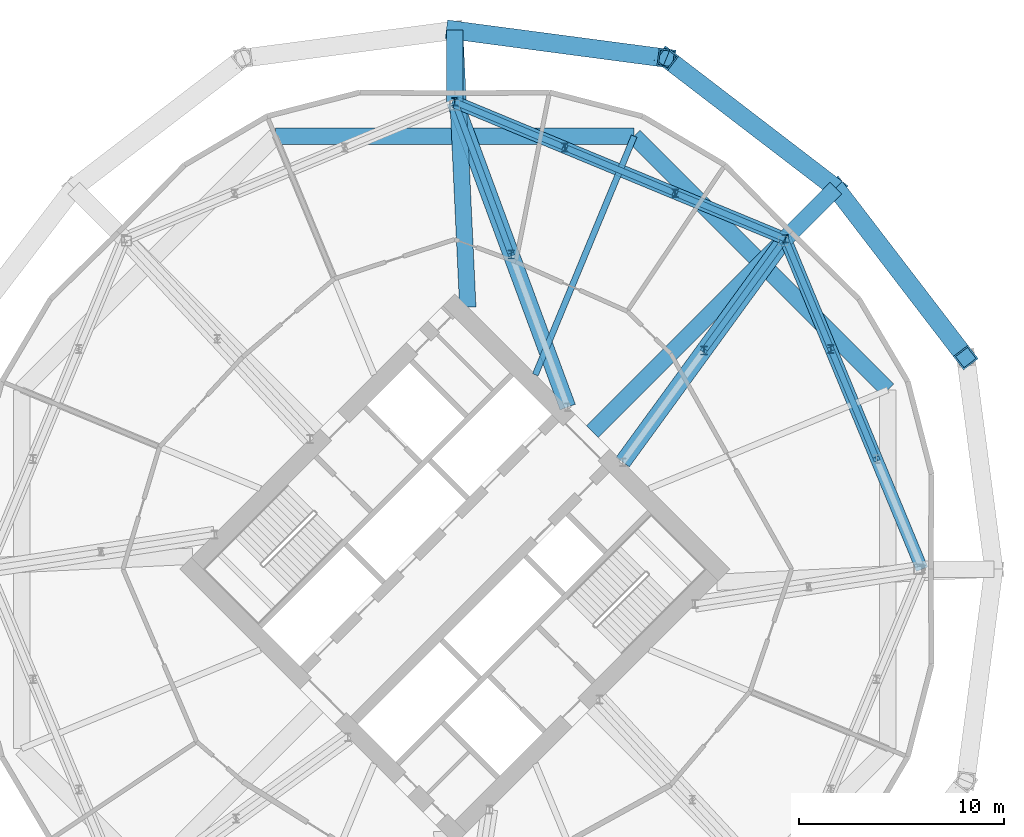
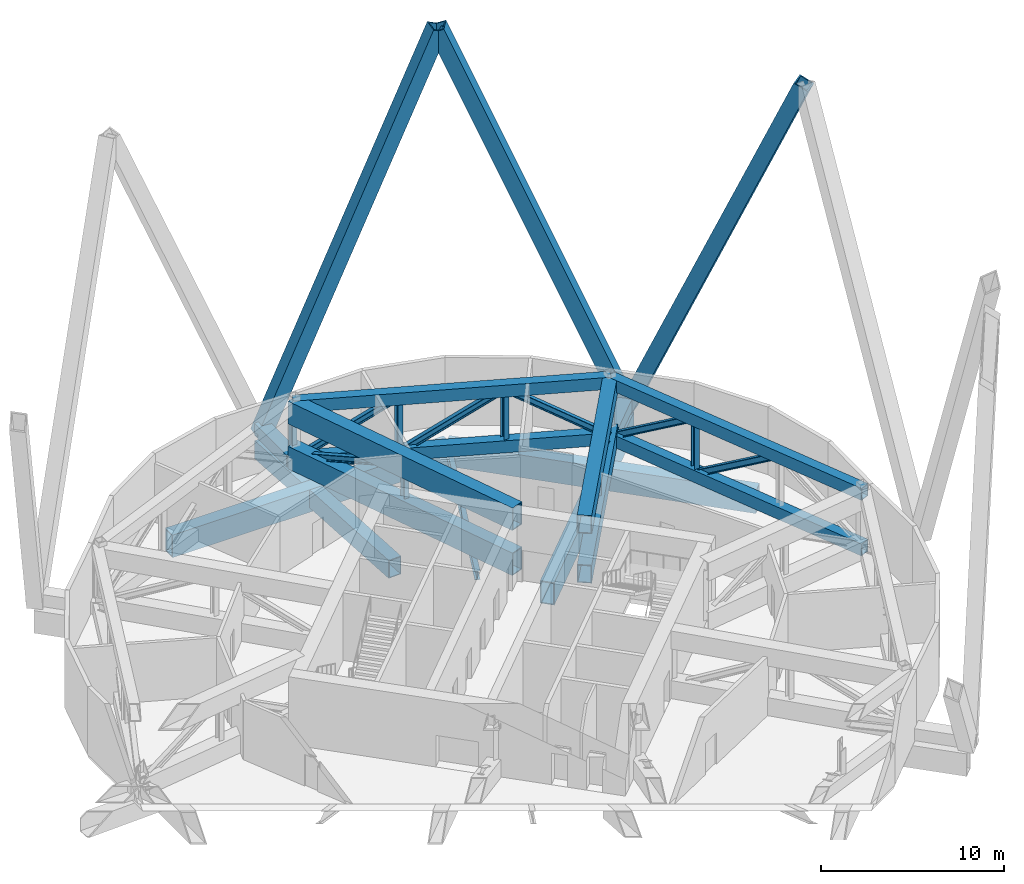
# One storey, part 12 of 21: 25 members, 7 beams.
"""IFC4 building model written with IfcOpenShell, lengths in metres."""

import ifcopenshell
import ifcopenshell.guid

model = None  # the IFC model being written
_history = None  # IfcOwnerHistory: only IFC2X3 demands one
_inside = {}  # id of a spatial element -> (the spatial element, [elements in it])
_under = {}  # id of a project, library or spatial element -> (it, [spatial elements below it])
_declared = {}  # id of a project -> (the project, [libraries it declares])
_typed = {}  # id of a type object -> (the type object, [elements of that type])
_made_of = {}  # id of a material, layer set ... -> (it, [elements and type objects made of it])


def new_model(schema):
    """Start an empty IFC model of exactly this schema.

    Asked for "IFC4X3", IfcOpenShell would pick the latest addendum, in which some entities
    have other attributes; the version numbers below select the first issue.
    IFC2X3 requires an IfcOwnerHistory on every rooted entity: one is made here for all.
    """
    global model, _history
    if schema == "IFC4X3":
        model = ifcopenshell.file(schema_version=(4, 3, 0, 0))
    else:
        model = ifcopenshell.file(schema=schema)
    _inside.clear()
    _under.clear()
    _declared.clear()
    _typed.clear()
    _made_of.clear()
    _history = None
    if model.schema == "IFC2X3":
        org = make("IfcOrganization", Name="unknown")
        user = make(
            "IfcPersonAndOrganization",
            ThePerson=make("IfcPerson", FamilyName="unknown"),
            TheOrganization=org,
        )
        app = make(
            "IfcApplication",
            ApplicationDeveloper=org,
            Version="unknown",
            ApplicationFullName="unknown",
            ApplicationIdentifier="unknown",
        )
        _history = make(
            "IfcOwnerHistory",
            OwningUser=user,
            OwningApplication=app,
            ChangeAction="ADDED",
            CreationDate=0,
        )
    return model


def make(cls, **values):
    """One entity of the class cls with the attributes given. An attribute that is None is left unset."""
    return model.create_entity(
        cls, **{name: value for name, value in values.items() if value is not None}
    )


def rooted(cls, **values):
    """An entity with a GlobalId (a new one), such as an element, a storey or a relation."""
    return make(cls, GlobalId=ifcopenshell.guid.new(), OwnerHistory=_history, **values)


def si_unit(unit_type, name, prefix=None):
    """IfcSIUnit, for example si_unit("LENGTHUNIT", "METRE", prefix="MILLI")."""
    return make("IfcSIUnit", UnitType=unit_type, Prefix=prefix, Name=name)


def assignment(units):
    """IfcUnitAssignment: the units of a project."""
    return None if units is None else make("IfcUnitAssignment", Units=units)


def point(xyz):
    """IfcCartesianPoint."""
    return None if xyz is None else make("IfcCartesianPoint", Coordinates=xyz)


def direction(xyz):
    """IfcDirection."""
    return None if xyz is None else make("IfcDirection", DirectionRatios=xyz)


def frame(location, z_axis=None, x_axis=None):
    """IfcAxis2Placement3D, a coordinate frame: its origin and axes. An axis left out is left unset."""
    return make(
        "IfcAxis2Placement3D",
        Location=point(location),
        Axis=direction(z_axis),
        RefDirection=direction(x_axis),
    )


def frame_2d(location, x_axis=None):
    """IfcAxis2Placement2D, a coordinate frame in the plane: its origin and x axis."""
    return make(
        "IfcAxis2Placement2D", Location=point(location), RefDirection=direction(x_axis)
    )


def origin():
    """The frame at (0, 0, 0) with its axes left unset."""
    return frame((0.0, 0.0, 0.0))


def origin_2d():
    """The frame at (0, 0) in the plane with its x axis left unset."""
    return frame_2d((0.0, 0.0))


def place(relative_to, where):
    """IfcLocalPlacement: puts the frame where relative to a parent placement (None: the world)."""
    return make(
        "IfcLocalPlacement", PlacementRelTo=relative_to, RelativePlacement=where
    )


def context(
    kind, dimensions, precision=None, world=None, true_north=None, identifier=None
):
    """IfcGeometricRepresentationContext, for example the 3D "Model" context."""
    return make(
        "IfcGeometricRepresentationContext",
        ContextIdentifier=identifier,
        ContextType=kind,
        CoordinateSpaceDimension=dimensions,
        Precision=precision,
        WorldCoordinateSystem=world,
        TrueNorth=true_north,
    )


def subcontext(parent, identifier, kind, view, scale=None):
    """IfcGeometricRepresentationSubContext, for example "Body" below "Model"."""
    return make(
        "IfcGeometricRepresentationSubContext",
        ContextIdentifier=identifier,
        ContextType=kind,
        ParentContext=parent,
        TargetScale=scale,
        TargetView=view,
    )


def project(units=None, contexts=None):
    """IfcProject with its units and contexts."""
    return rooted(
        "IfcProject",
        Name="project",
        RepresentationContexts=contexts,
        UnitsInContext=assignment(units),
    )


def spatial(cls, under=None, at=None, **own):
    """A site, building, storey or space (cls), placed at a placement, below another one or the project."""
    s = rooted(cls, ObjectPlacement=at, **own)
    if under is not None:
        _under.setdefault(under.id(), (under, []))[1].append(s)
    return s


def profile(cls, at=None, kind="AREA", **sizes):
    """A parametric profile (cls). Its sizes go by their IFC names, for example OverallWidth=200.0."""
    return make(cls, ProfileType=kind, Position=at, **sizes)


def hollow_rectangle(**sizes):
    """IfcRectangleHollowProfileDef."""
    return profile("IfcRectangleHollowProfileDef", **sizes)


def i_section(**sizes):
    """IfcIShapeProfileDef."""
    return profile("IfcIShapeProfileDef", **sizes)


def extrude(swept, where, along, depth):
    """IfcExtrudedAreaSolid: the profile swept, set in the frame where, extruded along a direction by depth."""
    return make(
        "IfcExtrudedAreaSolid",
        SweptArea=swept,
        Position=where,
        ExtrudedDirection=direction(along),
        Depth=depth,
    )


def shape(context_of_items, identifier, shape_type, items):
    """IfcShapeRepresentation: the items that make up one representation, for example the "Body"."""
    return make(
        "IfcShapeRepresentation",
        ContextOfItems=context_of_items,
        RepresentationIdentifier=identifier,
        RepresentationType=shape_type,
        Items=items,
    )


def material(Name=None, Category=None):
    """IfcMaterial."""
    return make("IfcMaterial", Name=Name, Category=Category)


def material_profile(
    of_material, cross_section, Name=None, Category=None, Priority=None
):
    """IfcMaterialProfile: a cross section and its material."""
    return make(
        "IfcMaterialProfile",
        Name=Name,
        Material=of_material,
        Profile=cross_section,
        Priority=Priority,
        Category=Category,
    )


def profile_set(profiles, Name=None, composite=None):
    """IfcMaterialProfileSet."""
    return make(
        "IfcMaterialProfileSet",
        Name=Name,
        MaterialProfiles=profiles,
        CompositeProfile=composite,
    )


def made_of(thing, what):
    """Note that an element or type object is made of a material, layer set ...; save() writes the relation."""
    if what is not None:
        _made_of.setdefault(what.id(), (what, []))[1].append(thing)
    return thing


def type_object(cls, material=None, **own):
    """A type object (cls), such as IfcWallType, which elements share."""
    return made_of(rooted(cls, **own), material)


def element(
    cls,
    number,
    at=None,
    inside=None,
    cuts=None,
    type_object=None,
    material=None,
    context=None,
    identifier="Body",
    shape_type=None,
    held_by="IfcProductDefinitionShape",
    body=None,
    shapes=None,
    **own,
):
    """One element of the class cls, such as IfcWall. Its Tag is "e" and its number.

    at: its placement. inside: the storey or other place that contains it. cuts: it is an
    opening in that element (IfcRelVoidsElement). A single representation is given by context,
    identifier, shape_type and body (its items); several are given by shapes. held_by: the class
    of the entity that holds the representations. save() writes the other relations.
    """
    e = rooted(cls, Tag="e%d" % number, ObjectPlacement=at, **own)
    if body is not None:
        shapes = [shape(context, identifier, shape_type, body)]
    if shapes is not None:
        e.Representation = make(held_by, Representations=shapes)
    if inside is not None:
        _inside.setdefault(inside.id(), (inside, []))[1].append(e)
    if cuts is not None:
        rooted(
            "IfcRelVoidsElement", RelatingBuildingElement=cuts, RelatedOpeningElement=e
        )
    if type_object is not None:
        _typed.setdefault(type_object.id(), (type_object, []))[1].append(e)
    return made_of(e, material)


def aggregate(whole, parts):
    """IfcRelAggregates: a whole, such as a stair, and the parts it consists of."""
    return rooted("IfcRelAggregates", RelatingObject=whole, RelatedObjects=parts)


def save(model, path):
    """Write the relations noted so far, then the file.

    IfcRelAggregates (storeys below a building ...), IfcRelContainedInSpatialStructure (elements
    in a storey), IfcRelDefinesByType, IfcRelAssociatesMaterial and IfcRelDeclares: one each for
    every whole, place, type object, material and project.
    """
    for whole, parts in _under.values():
        aggregate(whole, parts)
    for where, things in _inside.values():
        rooted(
            "IfcRelContainedInSpatialStructure",
            RelatedElements=things,
            RelatingStructure=where,
        )
    for kind, things in _typed.values():
        rooted("IfcRelDefinesByType", RelatedObjects=things, RelatingType=kind)
    for what, things in _made_of.values():
        rooted("IfcRelAssociatesMaterial", RelatedObjects=things, RelatingMaterial=what)
    for by, libraries in _declared.values():
        rooted("IfcRelDeclares", RelatingContext=by, RelatedDefinitions=libraries)
    model.write(path)


model = new_model("IFC4")

# Units and contexts
model_context = context("Model", 3, precision=1e-05, world=origin(), true_north=direction((0.0, 1.0)))
body_context = subcontext(model_context, "Body", "Model", "MODEL_VIEW")
ifc_project = project(units=[si_unit("LENGTHUNIT", "METRE"), si_unit("AREAUNIT", "SQUARE_METRE"), si_unit("VOLUMEUNIT", "CUBIC_METRE"), si_unit("PLANEANGLEUNIT", "RADIAN"), si_unit("MASSUNIT", "GRAM", prefix="KILO")], contexts=[model_context])

# Site, building, storey
site_placement = place(None, origin())
site = spatial("IfcSite", under=ifc_project, at=site_placement, CompositionType="ELEMENT")
building_placement = place(site_placement, origin())
building = spatial("IfcBuilding", under=site, at=building_placement, Name="Ogive Gate Towers", CompositionType="ELEMENT")
storey_placement = place(building_placement, frame((0.0, 0.0, 71.39990234375)))
storey = spatial("IfcBuildingStorey", under=building, at=storey_placement, Name="L16", CompositionType="ELEMENT", Elevation=71.39990234375)

# Members
ifc_material_1 = material(Name="Steel SM460", Category="steel")
ifc_material_profile_1 = material_profile(ifc_material_1, hollow_rectangle(XDim=0.89990234375, YDim=0.89990234375, WallThickness=0.080078125, at=origin_2d()), Name="BX 900x900x80")
ifc_profile_set_1 = profile_set([ifc_material_profile_1], Name="Steel SM460")
member_type_1 = type_object("IfcMemberType", Name="Diagrid diagonal BX 900x900x80", PredefinedType="BRACE", material=ifc_profile_set_1)
for number, where, z_axis, x_axis, name in (
    (1, (54.6181640625, 18.6181640625, 0.0), (0.239941197331, -0.313043448302, 0.918929823925), (0.793678314576, 0.608337680052, 0.0), "T2/L16/SDG003"),
    (2, (54.6181640625, 18.6181640625, 0.0), (-0.313043448302, 0.239941197331, 0.918929823925), (-0.608337680052, -0.793678314576, 0.0), "T2/L16/SDG004"),
    (3, (36.0, 26.330078125, 0.0), (0.391020203016, -0.05169225596, 0.918929328897), (0.131058173692, 0.991374679477, 0.0), "T2/L16/SDG005"),
):
    element("IfcMember", number, at=place(storey_placement, frame(where, z_axis=z_axis, x_axis=x_axis)), inside=storey, type_object=member_type_1, Name=name, PredefinedType="BRACE", context=body_context, shape_type="SweptSolid", body=[
        extrude(hollow_rectangle(XDim=0.89990234375, YDim=0.89990234375, WallThickness=0.080078125, at=origin_2d()), origin(), (0.0, 0.0, 1.0), 26.44384765625),
    ])

# Beams
ifc_material_profile_2 = material_profile(ifc_material_1, hollow_rectangle(XDim=0.800048828125, YDim=1.5, WallThickness=0.06005859375, at=origin_2d()), Name="BX 1500x800x60")
ifc_profile_set_2 = profile_set([ifc_material_profile_2], Name="Steel SM460")
beam_type_1 = type_object("IfcBeamType", Name="Edge girder BX 1500x800x60", PredefinedType="BEAM", material=ifc_profile_set_2)
for number, where, z_axis, x_axis, name in (
    (4, (57.15673828125, 8.763427734375, -1.0498046875), (-0.707106781187, 0.707106781187, 0.0), (-0.707106781187, -0.707106781187, 0.0), "T2/L16/SBM021"),
    (5, (44.763427734375, 21.15673828125, -1.0498046875), (-1.0, 0.0, 0.0), (0.0, -1.0, 0.0), "T2/L16/SBM022"),
):
    element("IfcBeam", number, at=place(storey_placement, frame(where, z_axis=z_axis, x_axis=x_axis)), inside=storey, type_object=beam_type_1, Name=name, PredefinedType="BEAM", context=body_context, shape_type="SweptSolid", body=[
        extrude(hollow_rectangle(XDim=0.800048828125, YDim=1.5, WallThickness=0.06005859375, at=origin_2d()), origin(), (0.0, 0.0, 1.0), 17.52685546875),
    ])
ifc_material_profile_3 = material_profile(ifc_material_1, hollow_rectangle(XDim=0.800048828125, YDim=0.800048828125, WallThickness=0.050048828125, at=origin_2d()), Name="BX 800x800x50")
ifc_profile_set_3 = profile_set([ifc_material_profile_3], Name="Steel SM460")
beam_type_2 = type_object("IfcBeamType", Name="Node arm BX 800x800x50", PredefinedType="BEAM", material=ifc_profile_set_3)
for number, where, z_axis, x_axis, name in (
    (6, (52.143310546875, 16.143310546875, 0.4501953125), (0.707106781187, 0.707106781187, 0.0), (-0.707106781187, 0.707106781187, 0.0), "T2/L16/SBM026"),
    (7, (36.0, 22.830078125, 0.4501953125), (0.0, 1.0, 0.0), (-1.0, 0.0, 0.0), "T2/L16/SBM027"),
):
    element("IfcBeam", number, at=place(storey_placement, frame(where, z_axis=z_axis, x_axis=x_axis)), inside=storey, type_object=beam_type_2, Name=name, PredefinedType="BEAM", context=body_context, shape_type="SweptSolid", body=[
        extrude(hollow_rectangle(XDim=0.800048828125, YDim=0.800048828125, WallThickness=0.050048828125, at=origin_2d()), origin(), (0.0, 0.0, 1.0), 3.5),
    ])
ifc_material_2 = material(Name="Steel SM355", Category="steel")
ifc_material_profile_4 = material_profile(ifc_material_2, i_section(OverallWidth=0.300048828125, OverallDepth=0.590087890625, WebThickness=0.012939453125, FlangeThickness=0.02490234375, FilletRadius=0.027099609375, at=origin_2d()), Name="HE 600 A")
ifc_profile_set_4 = profile_set([ifc_material_profile_4], Name="Steel SM355")
beam_type_3 = type_object("IfcBeamType", Name="Radial floor beam HE 600 A", PredefinedType="BEAM", material=ifc_profile_set_4)
beam_1_placement = place(storey_placement, frame((39.93505859375, 9.5, -0.594970703125), z_axis=(0.382682759347, 0.923879811284, 0.0), x_axis=(-0.923879811284, 0.382682759347, 0.0)))
element("IfcBeam", 8, at=beam_1_placement, inside=storey, type_object=beam_type_3, Name="T2/L16/SBM011", PredefinedType="BEAM", context=body_context, shape_type="SweptSolid", body=[
    extrude(i_section(OverallWidth=0.300048828125, OverallDepth=0.590087890625, WebThickness=0.012939453125, FlangeThickness=0.02490234375, FilletRadius=0.027099609375, at=origin_2d()), origin(), (0.0, 0.0, 1.0), 12.6171875),
])
ifc_material_profile_5 = material_profile(ifc_material_1, hollow_rectangle(XDim=0.800048828125, YDim=1.199951171875, WallThickness=0.050048828125, at=origin_2d()), Name="BX 1200x800x50")
ifc_profile_set_5 = profile_set([ifc_material_profile_5], Name="Steel SM460")
beam_type_4 = type_object("IfcBeamType", Name="Transfer radial beam BX 1200x800x50", PredefinedType="BEAM", material=ifc_profile_set_5)
beam_2_placement = place(storey_placement, frame((36.636474609375, 12.798583984375, -0.89990234375), z_axis=(-0.046984589384, 0.998895614346, 0.0), x_axis=(-0.998895614346, -0.046984589384, 0.0)))
element("IfcBeam", 9, at=beam_2_placement, inside=storey, type_object=beam_type_4, Name="T2/L16/SBM012", PredefinedType="BEAM", context=body_context, shape_type="SweptSolid", body=[
    extrude(hollow_rectangle(XDim=0.800048828125, YDim=1.199951171875, WallThickness=0.050048828125, at=origin_2d()), origin(), (0.0, 0.0, 1.0), 13.54638671875),
])
ifc_material_profile_6 = material_profile(ifc_material_1, hollow_rectangle(XDim=0.800048828125, YDim=1.5, WallThickness=0.06005859375, at=origin_2d()), Name="BX 1500x800x60")
ifc_profile_set_6 = profile_set([ifc_material_profile_6], Name="Steel SM460")
beam_type_5 = type_object("IfcBeamType", Name="Transfer radial beam BX 1500x800x60", PredefinedType="BEAM", material=ifc_profile_set_6)
beam_3_placement = place(storey_placement, frame((42.717529296875, 6.717529296875, -1.0498046875), z_axis=(0.707106781187, 0.707106781187, 0.0), x_axis=(-0.707106781187, 0.707106781187, 0.0)))
element("IfcBeam", 10, at=beam_3_placement, inside=storey, type_object=beam_type_5, Name="T2/L16/SBM010", PredefinedType="BEAM", context=body_context, shape_type="SweptSolid", body=[
    extrude(hollow_rectangle(XDim=0.800048828125, YDim=1.5, WallThickness=0.06005859375, at=origin_2d()), origin(), (0.0, 0.0, 1.0), 16.830078125),
])

# Members
ifc_material_profile_7 = material_profile(ifc_material_1, hollow_rectangle(XDim=0.800048828125, YDim=1.199951171875, WallThickness=0.050048828125, at=origin_2d()), Name="BX 1200x800x50")
ifc_profile_set_7 = profile_set([ifc_material_profile_7], Name="Steel SM460")
member_type_2 = type_object("IfcMemberType", Name="Truss chord BX 1200x800x50", PredefinedType="CHORD", material=ifc_profile_set_7)
for number, where, z_axis, x_axis, name in (
    (11, (44.202392578125, 5.232666015625, 0.60009765625), (0.588457806586, 0.808527927698, 0.0), (-0.808527927698, 0.588457806586, 0.0), "T2/L16/STR024"),
    (12, (44.202392578125, 5.232666015625, 3.900146484375), (0.588457806586, 0.808527927698, 0.0), (-0.808527927698, 0.588457806586, 0.0), "T2/L16/STR025"),
):
    element("IfcMember", number, at=place(storey_placement, frame(where, z_axis=z_axis, x_axis=x_axis)), inside=storey, type_object=member_type_2, Name=name, PredefinedType="CHORD", context=body_context, shape_type="SweptSolid", body=[
        extrude(hollow_rectangle(XDim=0.800048828125, YDim=1.199951171875, WallThickness=0.050048828125, at=origin_2d()), origin(), (0.0, 0.0, 1.0), 13.494384765625),
    ])
ifc_material_profile_8 = material_profile(ifc_material_1, hollow_rectangle(XDim=0.800048828125, YDim=1.5, WallThickness=0.06005859375, at=origin_2d()), Name="BX 1500x800x60")
ifc_profile_set_8 = profile_set([ifc_material_profile_8], Name="Steel SM460")
member_type_3 = type_object("IfcMemberType", Name="Truss chord BX 1500x800x60", PredefinedType="CHORD", material=ifc_profile_set_8)
for number, where, z_axis, x_axis, name in (
    (13, (41.515380859375, 7.919677734375, 0.75), (-0.346927699244, 0.93789187623, 0.0), (-0.93789187623, -0.346927699244, 0.0), "T2/L16/STR038"),
    (14, (41.515380859375, 7.919677734375, 3.75), (-0.346927699244, 0.93789187623, 0.0), (-0.93789187623, -0.346927699244, 0.0), "T2/L16/STR039"),
):
    element("IfcMember", number, at=place(storey_placement, frame(where, z_axis=z_axis, x_axis=x_axis)), inside=storey, type_object=member_type_3, Name=name, PredefinedType="CHORD", context=body_context, shape_type="SweptSolid", body=[
        extrude(hollow_rectangle(XDim=0.800048828125, YDim=1.5, WallThickness=0.06005859375, at=origin_2d()), origin(), (0.0, 0.0, 1.0), 15.897705078125),
    ])
ifc_material_profile_9 = material_profile(ifc_material_1, hollow_rectangle(XDim=0.60009765625, YDim=0.800048828125, WallThickness=0.0400390625, at=origin_2d()), Name="BX 800x600x40")
ifc_profile_set_9 = profile_set([ifc_material_profile_9], Name="Steel SM460")
member_type_4 = type_object("IfcMemberType", Name="Truss chord BX 800x600x40", PredefinedType="CHORD", material=ifc_profile_set_9)
for number, where, z_axis, x_axis, name in (
    (15, (58.830078125, 0.0, 0.400146484375), (-0.382682914959, 0.923879746828, 0.0), (-0.923879746828, -0.382682914959, 0.0), "T2/L16/STR001"),
    (16, (58.830078125, 0.0, 4.10009765625), (-0.382682914959, 0.923879746828, 0.0), (-0.923879746828, -0.382682914959, 0.0), "T2/L16/STR002"),
    (17, (52.143310546875, 16.143310546875, 0.400146484375), (-0.923879746828, 0.382682914959, 0.0), (-0.382682914959, -0.923879746828, 0.0), "T2/L16/STR016"),
    (18, (52.143310546875, 16.143310546875, 4.10009765625), (-0.923879746828, 0.382682914959, 0.0), (-0.382682914959, -0.923879746828, 0.0), "T2/L16/STR017"),
):
    element("IfcMember", number, at=place(storey_placement, frame(where, z_axis=z_axis, x_axis=x_axis)), inside=storey, type_object=member_type_4, Name=name, PredefinedType="CHORD", context=body_context, shape_type="SweptSolid", body=[
        extrude(hollow_rectangle(XDim=0.60009765625, YDim=0.800048828125, WallThickness=0.0400390625, at=origin_2d()), origin(), (0.0, 0.0, 1.0), 17.473388671875),
    ])
ifc_material_profile_10 = material_profile(ifc_material_1, i_section(OverallWidth=0.300048828125, OverallDepth=0.39990234375, WebThickness=0.013427734375, FlangeThickness=0.02392578125, FilletRadius=0.027099609375, at=origin_2d()), Name="HE 400 B")
ifc_profile_set_10 = profile_set([ifc_material_profile_10], Name="Steel SM460")
member_type_5 = type_object("IfcMemberType", Name="Truss diagonal HE 400 B", PredefinedType="BRACE", material=ifc_profile_set_10)
member_1_placement = place(storey_placement, frame((56.60107421875, 5.381103515625, 4.10009765625), z_axis=(-0.323029212472, 0.779834268576, -0.536200187844), x_axis=(-0.923874806885, -0.382694840836, 0.0)))
element("IfcMember", 19, at=member_1_placement, inside=storey, type_object=member_type_5, Name="T2/L16/STR004", PredefinedType="BRACE", context=body_context, shape_type="SweptSolid", body=[
    extrude(i_section(OverallWidth=0.300048828125, OverallDepth=0.39990234375, WebThickness=0.013427734375, FlangeThickness=0.02392578125, FilletRadius=0.027099609375, at=origin_2d()), origin(), (0.0, 0.0, 1.0), 6.900390625),
])
for number, where, z_axis, x_axis, name in (
    (20, (54.3720703125, 10.76220703125, 4.10009765625), (-0.322997522794, 0.779843181061, -0.53620631591), (-0.923889626408, -0.382659062633, 0.0), "T2/L16/STR005"),
    (21, (52.143310546875, 16.143310546875, 0.400146484375), (-0.779843181061, 0.322997522794, 0.53620631591), (-0.382659062633, -0.923889626408, 0.0), "T2/L16/STR018"),
):
    element("IfcMember", number, at=place(storey_placement, frame(where, z_axis=z_axis, x_axis=x_axis)), inside=storey, type_object=member_type_5, Name=name, PredefinedType="BRACE", context=body_context, shape_type="SweptSolid", body=[
        extrude(i_section(OverallWidth=0.300048828125, OverallDepth=0.39990234375, WebThickness=0.013427734375, FlangeThickness=0.02392578125, FilletRadius=0.027099609375, at=origin_2d()), origin(), (0.0, 0.0, 1.0), 6.900146484375),
    ])
for number, where, z_axis, x_axis, name in (
    (22, (46.76220703125, 18.3720703125, 4.10009765625), (-0.779834268576, 0.323029212472, -0.536200187844), (-0.382694840836, -0.923874806885, 0.0), "T2/L16/STR019"),
    (23, (41.381103515625, 20.60107421875, 4.10009765625), (-0.779834268576, 0.323029212472, -0.536200187844), (-0.382694840836, -0.923874806885, 0.0), "T2/L16/STR020"),
):
    element("IfcMember", number, at=place(storey_placement, frame(where, z_axis=z_axis, x_axis=x_axis)), inside=storey, type_object=member_type_5, Name=name, PredefinedType="BRACE", context=body_context, shape_type="SweptSolid", body=[
        extrude(i_section(OverallWidth=0.300048828125, OverallDepth=0.39990234375, WebThickness=0.013427734375, FlangeThickness=0.02392578125, FilletRadius=0.027099609375, at=origin_2d()), origin(), (0.0, 0.0, 1.0), 6.900390625),
    ])
member_2_placement = place(storey_placement, frame((48.1728515625, 10.68798828125, 3.900146484375), z_axis=(0.528617879208, 0.726309199466, -0.439360995712), x_axis=(-0.808527927698, 0.588457806586, 0.0)))
element("IfcMember", 24, at=member_2_placement, inside=storey, type_object=member_type_5, Name="T2/L16/STR027", PredefinedType="BRACE", context=body_context, shape_type="SweptSolid", body=[
    extrude(i_section(OverallWidth=0.300048828125, OverallDepth=0.39990234375, WebThickness=0.013427734375, FlangeThickness=0.02392578125, FilletRadius=0.027099609375, at=origin_2d()), origin(), (0.0, 0.0, 1.0), 7.510986328125),
])
member_3_placement = place(storey_placement, frame((38.7578125, 15.374755859375, 3.75), z_axis=(-0.324589267979, 0.877477202221, -0.353094274516), x_axis=(-0.937888727753, -0.346936210784, 0.0)))
element("IfcMember", 25, at=member_3_placement, inside=storey, type_object=member_type_5, Name="T2/L16/STR041", PredefinedType="BRACE", context=body_context, shape_type="SweptSolid", body=[
    extrude(i_section(OverallWidth=0.300048828125, OverallDepth=0.39990234375, WebThickness=0.013427734375, FlangeThickness=0.02392578125, FilletRadius=0.027099609375, at=origin_2d()), origin(), (0.0, 0.0, 1.0), 8.496337890625),
])
ifc_material_profile_11 = material_profile(ifc_material_1, i_section(OverallWidth=0.300048828125, OverallDepth=0.39990234375, WebThickness=0.013427734375, FlangeThickness=0.02392578125, FilletRadius=0.027099609375, at=origin_2d()), Name="HE 400 B")
ifc_profile_set_11 = profile_set([ifc_material_profile_11], Name="Steel SM460")
member_type_6 = type_object("IfcMemberType", Name="Truss post HE 400 B", PredefinedType="POST", material=ifc_profile_set_11)
for number, where, z_axis, x_axis, name in (
    (26, (54.3720703125, 10.76220703125, 0.400146484375), (0.0, 0.0, 1.0), (1.0, 0.0, 0.0), "T2/L16/STR008"),
    (27, (52.143310546875, 16.143310546875, 0.400146484375), (0.0, 0.0, 1.0), (1.0, 0.0, 0.0), "T2/L16/STR009"),
    (28, (46.76220703125, 18.3720703125, 0.400146484375), (0.0, 0.0, 1.0), (1.0, 0.0, 0.0), "T2/L16/STR021"),
    (29, (41.381103515625, 20.60107421875, 0.400146484375), (0.0, 0.0, 1.0), (1.0, 0.0, 0.0), "T2/L16/STR022"),
    (30, (36.0, 22.830078125, 0.400146484375), (0.0, 0.0, 1.0), (1.0, 0.0, 0.0), "T2/L16/STR023"),
):
    element("IfcMember", number, at=place(storey_placement, frame(where, z_axis=z_axis, x_axis=x_axis)), inside=storey, type_object=member_type_6, Name=name, PredefinedType="POST", context=body_context, shape_type="SweptSolid", body=[
        extrude(i_section(OverallWidth=0.300048828125, OverallDepth=0.39990234375, WebThickness=0.013427734375, FlangeThickness=0.02392578125, FilletRadius=0.027099609375, at=origin_2d()), origin(), (0.0, 0.0, 1.0), 3.699951171875),
    ])
member_4_placement = place(storey_placement, frame((48.1728515625, 10.68798828125, 0.60009765625), z_axis=(0.0, 0.0, 1.0), x_axis=(1.0, 0.0, 0.0)))
element("IfcMember", 31, at=member_4_placement, inside=storey, type_object=member_type_6, Name="T2/L16/STR029", PredefinedType="POST", context=body_context, shape_type="SweptSolid", body=[
    extrude(i_section(OverallWidth=0.300048828125, OverallDepth=0.39990234375, WebThickness=0.013427734375, FlangeThickness=0.02392578125, FilletRadius=0.027099609375, at=origin_2d()), origin(), (0.0, 0.0, 1.0), 3.300048828125),
])
member_5_placement = place(storey_placement, frame((38.7578125, 15.374755859375, 0.75), z_axis=(0.0, 0.0, 1.0), x_axis=(1.0, 0.0, 0.0)))
element("IfcMember", 32, at=member_5_placement, inside=storey, type_object=member_type_6, Name="T2/L16/STR043", PredefinedType="POST", context=body_context, shape_type="SweptSolid", body=[
    extrude(i_section(OverallWidth=0.300048828125, OverallDepth=0.39990234375, WebThickness=0.013427734375, FlangeThickness=0.02392578125, FilletRadius=0.027099609375, at=origin_2d()), origin(), (0.0, 0.0, 1.0), 3.0),
])

save(model, "model.ifc")
